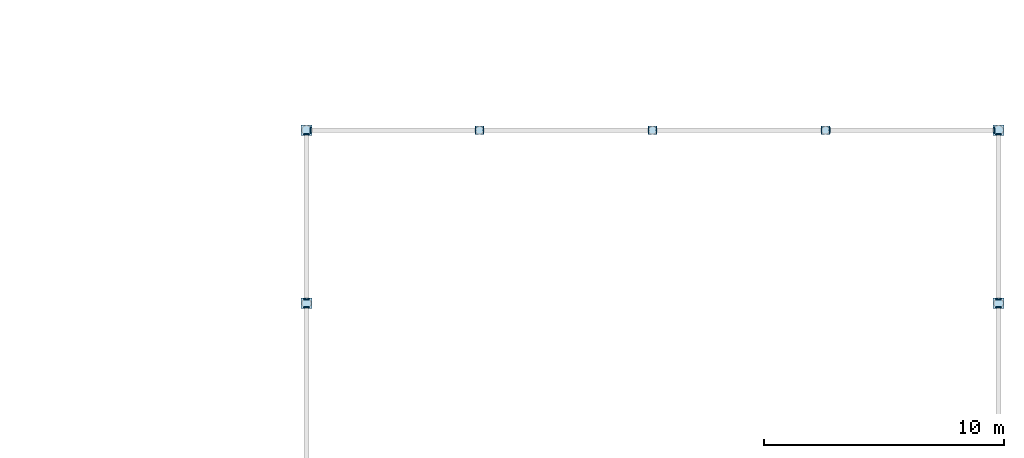
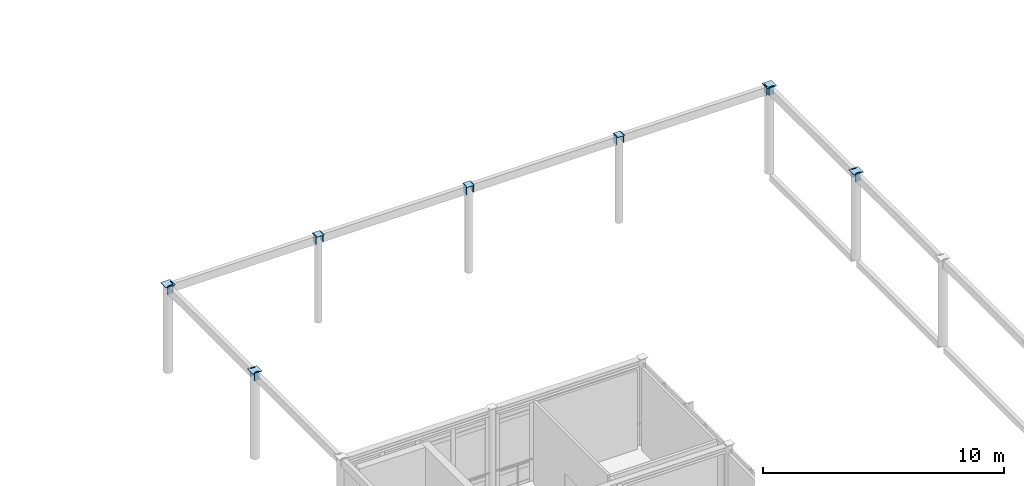
# One storey, part 50 of 72: 21 plates.
"""IFC4 building model written with IfcOpenShell, lengths in metres."""

from ifc_helpers import new_model, si_unit, direction, frame, origin, origin_2d, place, context, subcontext, project, spatial, rectangle, extrude, material, layer, layer_set, type_object, element, save


model = new_model("IFC4")

# Units and contexts
model_context = context("Model", 3, precision=1e-05, world=origin(), true_north=direction((0.0, 1.0)))
body_context = subcontext(model_context, "Body", "Model", "MODEL_VIEW")
ifc_project = project(units=[si_unit("LENGTHUNIT", "METRE"), si_unit("AREAUNIT", "SQUARE_METRE"), si_unit("VOLUMEUNIT", "CUBIC_METRE"), si_unit("PLANEANGLEUNIT", "RADIAN"), si_unit("MASSUNIT", "GRAM", prefix="KILO")], contexts=[model_context])

# Site, building, storey
site_placement = place(None, origin())
site = spatial("IfcSite", under=ifc_project, at=site_placement, CompositionType="ELEMENT")
building_placement = place(site_placement, origin())
building = spatial("IfcBuilding", under=site, at=building_placement, Name="Zarrinpeak Specialist Clinic", CompositionType="ELEMENT")
storey_placement = place(building_placement, frame((0.0, 0.0, 9.60009765625)))
storey = spatial("IfcBuildingStorey", under=building, at=storey_placement, Name="L02", CompositionType="ELEMENT", Elevation=9.60009765625)

# Plates
ifc_material = material(Name="Steel S355", Category="steel")
ifc_layer_1 = layer(ifc_material, 0.031982421875)
ifc_layer_set_1 = layer_set([ifc_layer_1], Name="Steel S355")
plate_type_1 = type_object("IfcPlateType", Name="PL-BP450", PredefinedType="SHEET", material=ifc_layer_set_1)
for number, where, z_axis, x_axis, name in (
    (1, (93.76806640625, 72.0, 4.0), (0.0, 0.0, 1.0), (1.0, 0.0, 0.0), "V3 Ring Beam Sealed End-Cap Plate RBCAP-09"),
    (2, (100.632080078125, 72.0, 4.0), (0.0, 0.0, 1.0), (1.0, 0.0, 0.0), "V3 Ring Beam Sealed End-Cap Plate RBCAP-10"),
    (3, (100.968017578125, 72.0, 4.0), (0.0, 0.0, 1.0), (1.0, 0.0, 0.0), "V3 Ring Beam Sealed End-Cap Plate RBCAP-11"),
    (4, (107.83203125, 72.0, 4.0), (0.0, 0.0, 1.0), (1.0, 0.0, 0.0), "V3 Ring Beam Sealed End-Cap Plate RBCAP-12"),
    (5, (108.16796875, 72.0, 4.0), (0.0, 0.0, 1.0), (1.0, 0.0, 0.0), "V3 Ring Beam Sealed End-Cap Plate RBCAP-13"),
    (6, (115.031982421875, 72.0, 4.0), (0.0, 0.0, 1.0), (1.0, 0.0, 0.0), "V3 Ring Beam Sealed End-Cap Plate RBCAP-14"),
    (7, (115.367919921875, 72.0, 4.0), (0.0, 0.0, 1.0), (1.0, 0.0, 0.0), "V3 Ring Beam Sealed End-Cap Plate RBCAP-15"),
    (8, (122.23193359375, 72.0, 4.0), (0.0, 0.0, 1.0), (1.0, 0.0, 0.0), "V3 Ring Beam Sealed End-Cap Plate RBCAP-16"),
):
    element("IfcPlate", number, at=place(storey_placement, frame(where, z_axis=z_axis, x_axis=x_axis)), inside=storey, type_object=plate_type_1, Name=name, PredefinedType="SHEET", context=body_context, shape_type="SweptSolid", body=[
        extrude(rectangle(XDim=0.031982421875, YDim=0.239990234375, at=origin_2d()), origin(), (0.0, 0.0, 1.0), 0.419921875),
    ])
for number, where, z_axis, x_axis, name in (
    (9, (93.60009765625, 64.632080078125, 4.0), (0.0, 0.0, 1.0), (1.0, 0.0, 0.0), "V3 Ring Beam Sealed End-Cap Plate RBCAP-26"),
    (10, (93.60009765625, 64.968017578125, 4.0), (0.0, 0.0, 1.0), (1.0, 0.0, 0.0), "V3 Ring Beam Sealed End-Cap Plate RBCAP-27"),
    (11, (93.60009765625, 71.83203125, 4.0), (0.0, 0.0, 1.0), (1.0, 0.0, 0.0), "V3 Ring Beam Sealed End-Cap Plate RBCAP-28"),
    (12, (122.39990234375, 64.632080078125, 4.0), (0.0, 0.0, 1.0), (1.0, 0.0, 0.0), "V3 Ring Beam Sealed End-Cap Plate RBCAP-38"),
    (13, (122.39990234375, 64.968017578125, 4.0), (0.0, 0.0, 1.0), (1.0, 0.0, 0.0), "V3 Ring Beam Sealed End-Cap Plate RBCAP-39"),
    (14, (122.39990234375, 71.83203125, 4.0), (0.0, 0.0, 1.0), (1.0, 0.0, 0.0), "V3 Ring Beam Sealed End-Cap Plate RBCAP-40"),
):
    element("IfcPlate", number, at=place(storey_placement, frame(where, z_axis=z_axis, x_axis=x_axis)), inside=storey, type_object=plate_type_1, Name=name, PredefinedType="SHEET", context=body_context, shape_type="SweptSolid", body=[
        extrude(rectangle(XDim=0.239990234375, YDim=0.031982421875, at=origin_2d()), origin(), (0.0, 0.0, 1.0), 0.419921875),
    ])
ifc_layer_2 = layer(ifc_material, 0.02001953125)
ifc_layer_set_2 = layer_set([ifc_layer_2], Name="Steel S355")
plate_type_2 = type_object("IfcPlateType", Name="PL-CAP324", PredefinedType="SHEET", material=ifc_layer_set_2)
for number, where, z_axis, x_axis, name in (
    (15, (100.800048828125, 72.0, 4.39599609375), (0.0, 0.0, 1.0), (1.0, 0.0, 0.0), "L02 Hollow Column Top Cap Plate CCAP-T-107"),
    (16, (108.0, 72.0, 4.39599609375), (0.0, 0.0, 1.0), (1.0, 0.0, 0.0), "L02 Hollow Column Top Cap Plate CCAP-T-113"),
    (17, (115.199951171875, 72.0, 4.39599609375), (0.0, 0.0, 1.0), (1.0, 0.0, 0.0), "L02 Hollow Column Top Cap Plate CCAP-T-115"),
):
    element("IfcPlate", number, at=place(storey_placement, frame(where, z_axis=z_axis, x_axis=x_axis)), inside=storey, type_object=plate_type_2, Name=name, PredefinedType="SHEET", context=body_context, shape_type="SweptSolid", body=[
        extrude(rectangle(XDim=0.3701171875, YDim=0.3701171875, at=origin_2d()), origin(), (0.0, 0.0, 1.0), 0.02001953125),
    ])
ifc_layer_3 = layer(ifc_material, 0.02197265625)
ifc_layer_set_3 = layer_set([ifc_layer_3], Name="Steel S355")
plate_type_3 = type_object("IfcPlateType", Name="PL-CAP406", PredefinedType="SHEET", material=ifc_layer_set_3)
for number, where, z_axis, x_axis, name in (
    (18, (93.60009765625, 64.800048828125, 4.39599609375), (0.0, 0.0, 1.0), (1.0, 0.0, 0.0), "L02 Hollow Column Top Cap Plate CCAP-T-100"),
    (19, (93.60009765625, 72.0, 4.39599609375), (0.0, 0.0, 1.0), (1.0, 0.0, 0.0), "L02 Hollow Column Top Cap Plate CCAP-T-101"),
    (20, (122.39990234375, 64.800048828125, 4.39599609375), (0.0, 0.0, 1.0), (1.0, 0.0, 0.0), "L02 Hollow Column Top Cap Plate CCAP-T-121"),
    (21, (122.39990234375, 72.0, 4.39599609375), (0.0, 0.0, 1.0), (1.0, 0.0, 0.0), "L02 Hollow Column Top Cap Plate CCAP-T-122"),
):
    element("IfcPlate", number, at=place(storey_placement, frame(where, z_axis=z_axis, x_axis=x_axis)), inside=storey, type_object=plate_type_3, Name=name, PredefinedType="SHEET", context=body_context, shape_type="SweptSolid", body=[
        extrude(rectangle(XDim=0.449951171875, YDim=0.449951171875, at=origin_2d()), origin(), (0.0, 0.0, 1.0), 0.02197265625),
    ])

save(model, "model.ifc")
